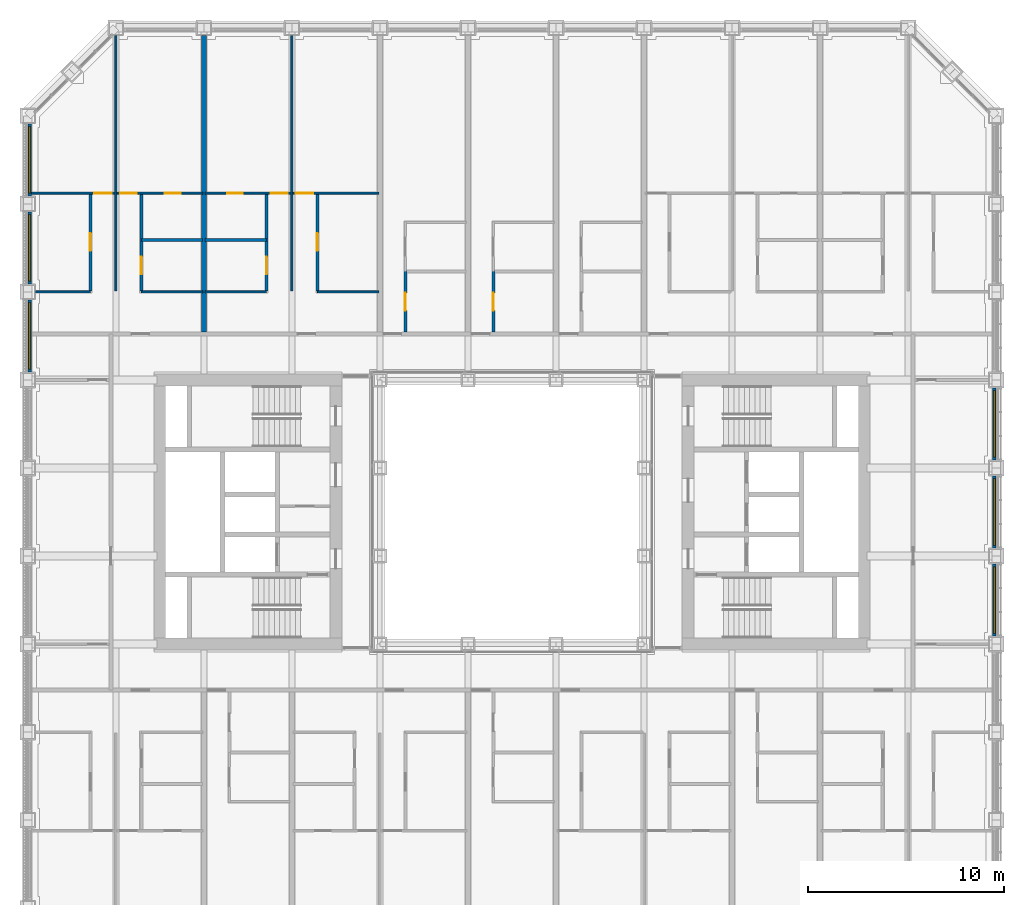
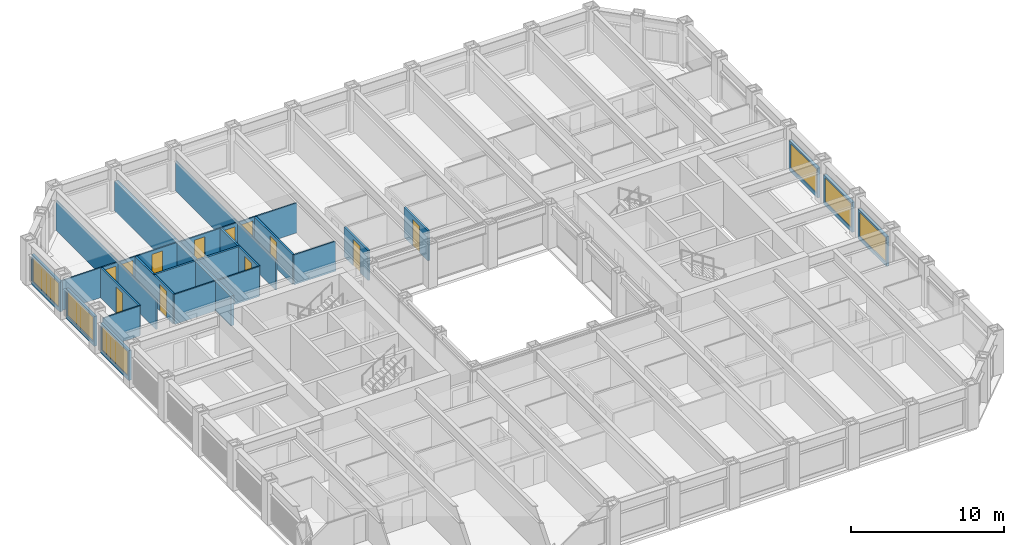
# One storey, part 13 of 21: 25 walls, 12 doors, 6 windows, 18 openings.
"""IFC4 building model written with IfcOpenShell, lengths in metres."""

from ifc_helpers import new_model, si_unit, direction, frame, frame_2d, origin, place, context, subcontext, project, spatial, rectangle, extrude, material, layer, layer_set, type_object, element, fill, save


model = new_model("IFC4")

# Units and contexts
model_context = context("Model", 3, precision=1e-05, world=origin(), true_north=direction((0.0, 1.0)))
body_context = subcontext(model_context, "Body", "Model", "MODEL_VIEW")
ifc_project = project(units=[si_unit("LENGTHUNIT", "METRE"), si_unit("AREAUNIT", "SQUARE_METRE"), si_unit("VOLUMEUNIT", "CUBIC_METRE"), si_unit("PLANEANGLEUNIT", "RADIAN"), si_unit("MASSUNIT", "GRAM", prefix="KILO")], contexts=[model_context])

# Site, building, storey
site_placement = place(None, origin())
site = spatial("IfcSite", under=ifc_project, at=site_placement, CompositionType="ELEMENT")
building_placement = place(site_placement, origin())
building = spatial("IfcBuilding", under=site, at=building_placement, Name="Msasa Ring Tower", CompositionType="ELEMENT")
storey_placement = place(building_placement, frame((0.0, 0.0, 44.0)))
storey = spatial("IfcBuildingStorey", under=building, at=storey_placement, Name="L10", CompositionType="ELEMENT", Elevation=44.0)

# Wall, opening, window
ifc_material_1 = material(Name="Terracotta rainscreen on blockwork", Category="masonry")
ifc_layer_1 = layer(ifc_material_1, 0.199951171875)
ifc_layer_set_1 = layer_set([ifc_layer_1], Name="FW1 TERRACOTTA-LINED INFILL BAY WALL 200")
wall_type_1 = type_object("IfcWallType", Name="FW1 TERRACOTTA-LINED INFILL BAY WALL 200", PredefinedType="SOLIDWALL", material=ifc_layer_set_1)
wall_1_placement = place(storey_placement, frame((24.64990234375, -6.344970703125, 0.0), z_axis=(0.0, 0.0, 1.0), x_axis=(0.0, 1.0, 0.0)))
wall_1 = element("IfcWall", 1, at=wall_1_placement, inside=storey, type_object=wall_type_1, Name="Infill bay wall E L10 14", PredefinedType="SOLIDWALL", context=body_context, shape_type="SweptSolid", body=[
    extrude(rectangle(XDim=3.68994140625, YDim=0.199951171875, at=frame_2d((1.844970703125, 0.0))), origin(), (0.0, 0.0, 1.0), 2.37890625),
])
opening_1_placement = place(wall_1_placement, frame((0.14501953125, 0.0, 0.300048828125)))
opening_1 = element("IfcOpeningElement", 2, at=opening_1_placement, cuts=wall_1, Name="Opening WN1", PredefinedType="OPENING", context=body_context, shape_type="SweptSolid", body=[
    extrude(rectangle(XDim=3.39990234375, YDim=1.928955078125, at=frame_2d((1.699951171875, 0.96435546875))), frame((0.0, 0.10986328125, 0.0), z_axis=(0.0, -1.0, 0.0), x_axis=(1.0, 0.0, 0.0)), (0.0, 0.0, 1.0), 0.219970703125),
])
ifc_material_2 = material(Name="Aluminium frame with clear glass", Category="aluminium")
window_type = type_object("IfcWindowType", Name="WN1 RESIDENCE WINDOW 3400x1929", PartitioningType="SINGLE_PANEL", PredefinedType="WINDOW", material=ifc_material_2)
window_1_placement = place(opening_1_placement, origin())
window_1 = element("IfcWindow", 3, at=window_1_placement, inside=storey, type_object=window_type, Name="Window E L10 14", OverallHeight=1.928955078125, OverallWidth=3.39990234375, PartitioningType="SINGLE_PANEL", PredefinedType="WINDOW", context=body_context, shape_type="SweptSolid", body=[
    extrude(rectangle(XDim=3.39990234375, YDim=1.928955078125, at=frame_2d((1.699951171875, 0.96435546875))), frame((0.0, 0.030029296875, 0.0), z_axis=(0.0, -1.0, 0.0), x_axis=(1.0, 0.0, 0.0)), (0.0, 0.0, 1.0), 0.06005859375),
])
fill(opening_1, window_1)

wall_2_placement = place(storey_placement, frame((24.64990234375, -1.844970703125, 0.0), z_axis=(0.0, 0.0, 1.0), x_axis=(0.0, 1.0, 0.0)))
wall_2 = element("IfcWall", 4, at=wall_2_placement, inside=storey, type_object=wall_type_1, Name="Infill bay wall E L10 15", PredefinedType="SOLIDWALL", context=body_context, shape_type="SweptSolid", body=[
    extrude(rectangle(XDim=3.68994140625, YDim=0.199951171875, at=frame_2d((1.844970703125, 0.0))), origin(), (0.0, 0.0, 1.0), 2.37890625),
])
opening_2_placement = place(wall_2_placement, frame((0.14501953125, 0.0, 0.300048828125)))
opening_2 = element("IfcOpeningElement", 5, at=opening_2_placement, cuts=wall_2, Name="Opening WN1", PredefinedType="OPENING", context=body_context, shape_type="SweptSolid", body=[
    extrude(rectangle(XDim=3.39990234375, YDim=1.928955078125, at=frame_2d((1.699951171875, 0.96435546875))), frame((0.0, 0.10986328125, 0.0), z_axis=(0.0, -1.0, 0.0), x_axis=(1.0, 0.0, 0.0)), (0.0, 0.0, 1.0), 0.219970703125),
])
window_2_placement = place(opening_2_placement, origin())
window_2 = element("IfcWindow", 6, at=window_2_placement, inside=storey, type_object=window_type, Name="Window E L10 15", OverallHeight=1.928955078125, OverallWidth=3.39990234375, PartitioningType="SINGLE_PANEL", PredefinedType="WINDOW", context=body_context, shape_type="SweptSolid", body=[
    extrude(rectangle(XDim=3.39990234375, YDim=1.928955078125, at=frame_2d((1.699951171875, 0.96435546875))), frame((0.0, 0.030029296875, 0.0), z_axis=(0.0, -1.0, 0.0), x_axis=(1.0, 0.0, 0.0)), (0.0, 0.0, 1.0), 0.06005859375),
])
fill(opening_2, window_2)

wall_3_placement = place(storey_placement, frame((24.64990234375, 2.655029296875, 0.0), z_axis=(0.0, 0.0, 1.0), x_axis=(0.0, 1.0, 0.0)))
wall_3 = element("IfcWall", 7, at=wall_3_placement, inside=storey, type_object=wall_type_1, Name="Infill bay wall E L10 16", PredefinedType="SOLIDWALL", context=body_context, shape_type="SweptSolid", body=[
    extrude(rectangle(XDim=3.68994140625, YDim=0.199951171875, at=frame_2d((1.844970703125, 0.0))), origin(), (0.0, 0.0, 1.0), 2.37890625),
])
opening_3_placement = place(wall_3_placement, frame((0.14501953125, 0.0, 0.300048828125)))
opening_3 = element("IfcOpeningElement", 8, at=opening_3_placement, cuts=wall_3, Name="Opening WN1", PredefinedType="OPENING", context=body_context, shape_type="SweptSolid", body=[
    extrude(rectangle(XDim=3.39990234375, YDim=1.928955078125, at=frame_2d((1.699951171875, 0.96435546875))), frame((0.0, 0.10986328125, 0.0), z_axis=(0.0, -1.0, 0.0), x_axis=(1.0, 0.0, 0.0)), (0.0, 0.0, 1.0), 0.219970703125),
])
window_3_placement = place(opening_3_placement, origin())
window_3 = element("IfcWindow", 9, at=window_3_placement, inside=storey, type_object=window_type, Name="Window E L10 16", OverallHeight=1.928955078125, OverallWidth=3.39990234375, PartitioningType="SINGLE_PANEL", PredefinedType="WINDOW", context=body_context, shape_type="SweptSolid", body=[
    extrude(rectangle(XDim=3.39990234375, YDim=1.928955078125, at=frame_2d((1.699951171875, 0.96435546875))), frame((0.0, 0.030029296875, 0.0), z_axis=(0.0, -1.0, 0.0), x_axis=(1.0, 0.0, 0.0)), (0.0, 0.0, 1.0), 0.06005859375),
])
fill(opening_3, window_3)

wall_4_placement = place(storey_placement, frame((-24.64990234375, 7.155029296875, 0.0), z_axis=(0.0, 0.0, 1.0), x_axis=(0.0, 1.0, 0.0)))
wall_4 = element("IfcWall", 10, at=wall_4_placement, inside=storey, type_object=wall_type_1, Name="Infill bay wall W L10 39", PredefinedType="SOLIDWALL", context=body_context, shape_type="SweptSolid", body=[
    extrude(rectangle(XDim=3.68994140625, YDim=0.199951171875, at=frame_2d((1.844970703125, 0.0))), origin(), (0.0, 0.0, 1.0), 2.37890625),
])
opening_4_placement = place(wall_4_placement, frame((0.14501953125, 0.0, 0.300048828125)))
opening_4 = element("IfcOpeningElement", 11, at=opening_4_placement, cuts=wall_4, Name="Opening WN1", PredefinedType="OPENING", context=body_context, shape_type="SweptSolid", body=[
    extrude(rectangle(XDim=3.39990234375, YDim=1.928955078125, at=frame_2d((1.699951171875, 0.96435546875))), frame((0.0, 0.10986328125, 0.0), z_axis=(0.0, -1.0, 0.0), x_axis=(1.0, 0.0, 0.0)), (0.0, 0.0, 1.0), 0.219970703125),
])
window_4_placement = place(opening_4_placement, origin())
window_4 = element("IfcWindow", 12, at=window_4_placement, inside=storey, type_object=window_type, Name="Window W L10 39", OverallHeight=1.928955078125, OverallWidth=3.39990234375, PartitioningType="SINGLE_PANEL", PredefinedType="WINDOW", context=body_context, shape_type="SweptSolid", body=[
    extrude(rectangle(XDim=3.39990234375, YDim=1.928955078125, at=frame_2d((1.699951171875, 0.96435546875))), frame((0.0, 0.030029296875, 0.0), z_axis=(0.0, -1.0, 0.0), x_axis=(1.0, 0.0, 0.0)), (0.0, 0.0, 1.0), 0.06005859375),
])
fill(opening_4, window_4)

wall_5_placement = place(storey_placement, frame((-24.64990234375, 11.655029296875, 0.0), z_axis=(0.0, 0.0, 1.0), x_axis=(0.0, 1.0, 0.0)))
wall_5 = element("IfcWall", 13, at=wall_5_placement, inside=storey, type_object=wall_type_1, Name="Infill bay wall W L10 40", PredefinedType="SOLIDWALL", context=body_context, shape_type="SweptSolid", body=[
    extrude(rectangle(XDim=3.68994140625, YDim=0.199951171875, at=frame_2d((1.844970703125, 0.0))), origin(), (0.0, 0.0, 1.0), 2.37890625),
])
opening_5_placement = place(wall_5_placement, frame((0.14501953125, 0.0, 0.300048828125)))
opening_5 = element("IfcOpeningElement", 14, at=opening_5_placement, cuts=wall_5, Name="Opening WN1", PredefinedType="OPENING", context=body_context, shape_type="SweptSolid", body=[
    extrude(rectangle(XDim=3.39990234375, YDim=1.928955078125, at=frame_2d((1.699951171875, 0.96435546875))), frame((0.0, 0.10986328125, 0.0), z_axis=(0.0, -1.0, 0.0), x_axis=(1.0, 0.0, 0.0)), (0.0, 0.0, 1.0), 0.219970703125),
])
window_5_placement = place(opening_5_placement, origin())
window_5 = element("IfcWindow", 15, at=window_5_placement, inside=storey, type_object=window_type, Name="Window W L10 40", OverallHeight=1.928955078125, OverallWidth=3.39990234375, PartitioningType="SINGLE_PANEL", PredefinedType="WINDOW", context=body_context, shape_type="SweptSolid", body=[
    extrude(rectangle(XDim=3.39990234375, YDim=1.928955078125, at=frame_2d((1.699951171875, 0.96435546875))), frame((0.0, 0.030029296875, 0.0), z_axis=(0.0, -1.0, 0.0), x_axis=(1.0, 0.0, 0.0)), (0.0, 0.0, 1.0), 0.06005859375),
])
fill(opening_5, window_5)

wall_6_placement = place(storey_placement, frame((-24.64990234375, 16.155029296875, 0.0), z_axis=(0.0, 0.0, 1.0), x_axis=(0.0, 1.0, 0.0)))
wall_6 = element("IfcWall", 16, at=wall_6_placement, inside=storey, type_object=wall_type_1, Name="Infill bay wall W L10 41", PredefinedType="SOLIDWALL", context=body_context, shape_type="SweptSolid", body=[
    extrude(rectangle(XDim=3.68994140625, YDim=0.199951171875, at=frame_2d((1.844970703125, 0.0))), origin(), (0.0, 0.0, 1.0), 2.37890625),
])
opening_6_placement = place(wall_6_placement, frame((0.14501953125, 0.0, 0.300048828125)))
opening_6 = element("IfcOpeningElement", 17, at=opening_6_placement, cuts=wall_6, Name="Opening WN1", PredefinedType="OPENING", context=body_context, shape_type="SweptSolid", body=[
    extrude(rectangle(XDim=3.39990234375, YDim=1.928955078125, at=frame_2d((1.699951171875, 0.96435546875))), frame((0.0, 0.10986328125, 0.0), z_axis=(0.0, -1.0, 0.0), x_axis=(1.0, 0.0, 0.0)), (0.0, 0.0, 1.0), 0.219970703125),
])
window_6_placement = place(opening_6_placement, origin())
window_6 = element("IfcWindow", 18, at=window_6_placement, inside=storey, type_object=window_type, Name="Window W L10 41", OverallHeight=1.928955078125, OverallWidth=3.39990234375, PartitioningType="SINGLE_PANEL", PredefinedType="WINDOW", context=body_context, shape_type="SweptSolid", body=[
    extrude(rectangle(XDim=3.39990234375, YDim=1.928955078125, at=frame_2d((1.699951171875, 0.96435546875))), frame((0.0, 0.030029296875, 0.0), z_axis=(0.0, -1.0, 0.0), x_axis=(1.0, 0.0, 0.0)), (0.0, 0.0, 1.0), 0.06005859375),
])
fill(opening_6, window_6)

# Wall
ifc_material_3 = material(Name="Gypsum board on steel studs", Category="steel")
ifc_layer_2 = layer(ifc_material_3, 0.10009765625)
ifc_layer_set_2 = layer_set([ifc_layer_2], Name="PT2 STUD PARTITION 100")
wall_type_2 = type_object("IfcWallType", Name="PT2 STUD PARTITION 100", PredefinedType="PARTITIONING", material=ifc_layer_set_2)
wall_7_placement = place(storey_placement, frame((-24.35009765625, 11.25, 0.0), z_axis=(0.0, 0.0, 1.0), x_axis=(1.0, 0.0, 0.0)))
element("IfcWall", 19, at=wall_7_placement, inside=storey, type_object=wall_type_2, Name="Partition L10-UN00HY0", PredefinedType="PARTITIONING", context=body_context, shape_type="SweptSolid", body=[
    extrude(rectangle(XDim=2.800048828125, YDim=0.10009765625, at=frame_2d((1.39990234375, 0.0))), origin(), (0.0, 0.0, 1.0), 2.373291015625),
])

# Wall, opening, door
wall_8_placement = place(storey_placement, frame((-24.550048828125, 16.300048828125, 0.0), z_axis=(0.0, 0.0, 1.0), x_axis=(1.0, 0.0, 0.0)))
wall_8 = element("IfcWall", 20, at=wall_8_placement, inside=storey, type_object=wall_type_2, Name="Partition L10-UN00SY0", PredefinedType="PARTITIONING", context=body_context, shape_type="SweptSolid", body=[
    extrude(rectangle(XDim=4.25, YDim=0.10009765625, at=frame_2d((2.125, 0.0))), origin(), (0.0, 0.0, 1.0), 2.373291015625),
])
opening_7_placement = place(wall_8_placement, frame((3.199951171875, 0.0, 0.0)))
opening_7 = element("IfcOpeningElement", 21, at=opening_7_placement, cuts=wall_8, Name="Opening RB-001", PredefinedType="OPENING", context=body_context, shape_type="SweptSolid", body=[
    extrude(rectangle(XDim=0.89990234375, YDim=2.10009765625, at=frame_2d((0.449951171875, 1.050048828125))), frame((0.0, 0.06005859375, 0.0), z_axis=(0.0, -1.0, 0.0), x_axis=(1.0, 0.0, 0.0)), (0.0, 0.0, 1.0), 0.1201171875),
])
ifc_material_4 = material(Name="Timber door leaf in a steel frame", Category="steel")
door_type_1 = type_object("IfcDoorType", Name="D22 INTERNAL HALL DOOR 900x2100", OperationType="SINGLE_SWING_LEFT", PredefinedType="DOOR", material=ifc_material_4)
door_1_placement = place(opening_7_placement, origin())
door_1 = element("IfcDoor", 22, at=door_1_placement, inside=storey, type_object=door_type_1, Name="Door L10-UN00L", OperationType="SINGLE_SWING_RIGHT", OverallHeight=2.10009765625, OverallWidth=0.89990234375, PredefinedType="DOOR", context=body_context, shape_type="SweptSolid", body=[
    extrude(rectangle(XDim=0.89990234375, YDim=2.10009765625, at=frame_2d((0.449951171875, 1.050048828125))), frame((0.0, 0.02490234375, 0.0), z_axis=(0.0, -1.0, 0.0), x_axis=(1.0, 0.0, 0.0)), (0.0, 0.0, 1.0), 0.050048828125),
])
fill(opening_7, door_1)

# Walls
wall_9_placement = place(storey_placement, frame((-20.25, 11.300048828125, 0.0), z_axis=(0.0, 0.0, 1.0), x_axis=(0.0, 1.0, 0.0)))
element("IfcWall", 23, at=wall_9_placement, inside=storey, type_object=wall_type_2, Name="Partition L10-UN00P1", PredefinedType="PARTITIONING", context=body_context, shape_type="SweptSolid", body=[
    extrude(rectangle(XDim=13.050048828125, YDim=0.10009765625, at=frame_2d((6.52490234375, 0.0))), origin(), (0.0, 0.0, 1.0), 2.373291015625),
])
wall_10_placement = place(storey_placement, frame((-18.949951171875, 11.25, 0.0), z_axis=(0.0, 0.0, 1.0), x_axis=(1.0, 0.0, 0.0)))
element("IfcWall", 24, at=wall_10_placement, inside=storey, type_object=wall_type_2, Name="Partition L10-UN00HY1", PredefinedType="PARTITIONING", context=body_context, shape_type="SweptSolid", body=[
    extrude(rectangle(XDim=3.139892578125, YDim=0.10009765625, at=frame_2d((1.56982421875, 0.0))), origin(), (0.0, 0.0, 1.0), 2.373291015625),
])

# Wall, openings, doors
wall_11_placement = place(storey_placement, frame((-20.199951171875, 16.300048828125, 0.0), z_axis=(0.0, 0.0, 1.0), x_axis=(1.0, 0.0, 0.0)))
wall_11 = element("IfcWall", 25, at=wall_11_placement, inside=storey, type_object=wall_type_2, Name="Partition L10-UN00SY1", PredefinedType="PARTITIONING", context=body_context, shape_type="SweptSolid", body=[
    extrude(rectangle(XDim=4.389892578125, YDim=0.10009765625, at=frame_2d((2.19482421875, 0.0))), origin(), (0.0, 0.0, 1.0), 2.373291015625),
])
opening_8_placement = place(wall_11_placement, frame((0.175048828125, 0.0, 0.0)))
opening_8 = element("IfcOpeningElement", 26, at=opening_8_placement, cuts=wall_11, Name="Opening RB-002", PredefinedType="OPENING", context=body_context, shape_type="SweptSolid", body=[
    extrude(rectangle(XDim=0.85009765625, YDim=2.10009765625, at=frame_2d((0.425048828125, 1.050048828125))), frame((0.0, 0.06005859375, 0.0), z_axis=(0.0, -1.0, 0.0), x_axis=(1.0, 0.0, 0.0)), (0.0, 0.0, 1.0), 0.1201171875),
])
opening_9_placement = place(wall_11_placement, frame((2.4599609375, 0.0, 0.0)))
opening_9 = element("IfcOpeningElement", 27, at=opening_9_placement, cuts=wall_11, Name="Opening RB-003", PredefinedType="OPENING", context=body_context, shape_type="SweptSolid", body=[
    extrude(rectangle(XDim=0.800048828125, YDim=2.10009765625, at=frame_2d((0.39990234375, 1.050048828125))), frame((0.0, 0.06005859375, 0.0), z_axis=(0.0, -1.0, 0.0), x_axis=(1.0, 0.0, 0.0)), (0.0, 0.0, 1.0), 0.1201171875),
])
ifc_material_5 = material(Name="Timber door leaf in a steel frame", Category="steel")
door_type_2 = type_object("IfcDoorType", Name="D14 BEDROOM DOOR 850x2100", OperationType="SINGLE_SWING_LEFT", PredefinedType="DOOR", material=ifc_material_5)
door_2_placement = place(opening_8_placement, origin())
door_2 = element("IfcDoor", 28, at=door_2_placement, inside=storey, type_object=door_type_2, Name="Door L10-UN00R1", OperationType="SINGLE_SWING_LEFT", OverallHeight=2.10009765625, OverallWidth=0.85009765625, PredefinedType="DOOR", context=body_context, shape_type="SweptSolid", body=[
    extrude(rectangle(XDim=0.85009765625, YDim=2.10009765625, at=frame_2d((0.425048828125, 1.050048828125))), frame((0.0, 0.02490234375, 0.0), z_axis=(0.0, -1.0, 0.0), x_axis=(1.0, 0.0, 0.0)), (0.0, 0.0, 1.0), 0.050048828125),
])
fill(opening_8, door_2)
ifc_material_6 = material(Name="Timber door leaf in a steel frame", Category="steel")
door_type_3 = type_object("IfcDoorType", Name="D60 DRESSING ROOM DOOR 800x2100", OperationType="SINGLE_SWING_LEFT", PredefinedType="DOOR", material=ifc_material_6)
door_3_placement = place(opening_9_placement, origin())
door_3 = element("IfcDoor", 29, at=door_3_placement, inside=storey, type_object=door_type_3, Name="Door L10-UN00W1", OperationType="SINGLE_SWING_RIGHT", OverallHeight=2.10009765625, OverallWidth=0.800048828125, PredefinedType="DOOR", context=body_context, shape_type="SweptSolid", body=[
    extrude(rectangle(XDim=0.800048828125, YDim=2.10009765625, at=frame_2d((0.39990234375, 1.050048828125))), frame((0.0, 0.02490234375, 0.0), z_axis=(0.0, -1.0, 0.0), x_axis=(1.0, 0.0, 0.0)), (0.0, 0.0, 1.0), 0.050048828125),
])
fill(opening_9, door_3)

# Wall
wall_12_placement = place(storey_placement, frame((-9.949951171875, 11.25, 0.0), z_axis=(0.0, 0.0, 1.0), x_axis=(1.0, 0.0, 0.0)))
element("IfcWall", 30, at=wall_12_placement, inside=storey, type_object=wall_type_2, Name="Partition L10-UN01HY0", PredefinedType="PARTITIONING", context=body_context, shape_type="SweptSolid", body=[
    extrude(rectangle(XDim=3.139892578125, YDim=0.10009765625, at=frame_2d((1.56982421875, 0.0))), origin(), (0.0, 0.0, 1.0), 2.373291015625),
])

# Wall, opening, door
wall_13_placement = place(storey_placement, frame((-11.199951171875, 16.300048828125, 0.0), z_axis=(0.0, 0.0, 1.0), x_axis=(1.0, 0.0, 0.0)))
wall_13 = element("IfcWall", 31, at=wall_13_placement, inside=storey, type_object=wall_type_2, Name="Partition L10-UN01SY0", PredefinedType="PARTITIONING", context=body_context, shape_type="SweptSolid", body=[
    extrude(rectangle(XDim=4.389892578125, YDim=0.10009765625, at=frame_2d((2.19482421875, 0.0))), origin(), (0.0, 0.0, 1.0), 2.373291015625),
])
opening_10_placement = place(wall_13_placement, frame((0.14990234375, 0.0, 0.0)))
opening_10 = element("IfcOpeningElement", 32, at=opening_10_placement, cuts=wall_13, Name="Opening RB-006", PredefinedType="OPENING", context=body_context, shape_type="SweptSolid", body=[
    extrude(rectangle(XDim=0.89990234375, YDim=2.10009765625, at=frame_2d((0.449951171875, 1.050048828125))), frame((0.0, 0.06005859375, 0.0), z_axis=(0.0, -1.0, 0.0), x_axis=(1.0, 0.0, 0.0)), (0.0, 0.0, 1.0), 0.1201171875),
])
door_4_placement = place(opening_10_placement, origin())
door_4 = element("IfcDoor", 33, at=door_4_placement, inside=storey, type_object=door_type_1, Name="Door L10-UN01L", OperationType="SINGLE_SWING_LEFT", OverallHeight=2.10009765625, OverallWidth=0.89990234375, PredefinedType="DOOR", context=body_context, shape_type="SweptSolid", body=[
    extrude(rectangle(XDim=0.89990234375, YDim=2.10009765625, at=frame_2d((0.449951171875, 1.050048828125))), frame((0.0, 0.02490234375, 0.0), z_axis=(0.0, -1.0, 0.0), x_axis=(1.0, 0.0, 0.0)), (0.0, 0.0, 1.0), 0.050048828125),
])
fill(opening_10, door_4)

# Walls
wall_14_placement = place(storey_placement, frame((-11.25, 11.300048828125, 0.0), z_axis=(0.0, 0.0, 1.0), x_axis=(0.0, 1.0, 0.0)))
element("IfcWall", 34, at=wall_14_placement, inside=storey, type_object=wall_type_2, Name="Partition L10-UN01P1", PredefinedType="PARTITIONING", context=body_context, shape_type="SweptSolid", body=[
    extrude(rectangle(XDim=13.050048828125, YDim=0.10009765625, at=frame_2d((6.52490234375, 0.0))), origin(), (0.0, 0.0, 1.0), 2.373291015625),
])
wall_15_placement = place(storey_placement, frame((-15.68994140625, 11.25, 0.0), z_axis=(0.0, 0.0, 1.0), x_axis=(1.0, 0.0, 0.0)))
element("IfcWall", 35, at=wall_15_placement, inside=storey, type_object=wall_type_2, Name="Partition L10-UN01HY1", PredefinedType="PARTITIONING", context=body_context, shape_type="SweptSolid", body=[
    extrude(rectangle(XDim=3.139892578125, YDim=0.10009765625, at=frame_2d((1.56982421875, 0.0))), origin(), (0.0, 0.0, 1.0), 2.373291015625),
])

# Wall, openings, doors
wall_16_placement = place(storey_placement, frame((-15.68994140625, 16.300048828125, 0.0), z_axis=(0.0, 0.0, 1.0), x_axis=(1.0, 0.0, 0.0)))
wall_16 = element("IfcWall", 36, at=wall_16_placement, inside=storey, type_object=wall_type_2, Name="Partition L10-UN01SY1", PredefinedType="PARTITIONING", context=body_context, shape_type="SweptSolid", body=[
    extrude(rectangle(XDim=4.389892578125, YDim=0.10009765625, at=frame_2d((2.19482421875, 0.0))), origin(), (0.0, 0.0, 1.0), 2.373291015625),
])
opening_11_placement = place(wall_16_placement, frame((3.364990234375, 0.0, 0.0)))
opening_11 = element("IfcOpeningElement", 37, at=opening_11_placement, cuts=wall_16, Name="Opening RB-005", PredefinedType="OPENING", context=body_context, shape_type="SweptSolid", body=[
    extrude(rectangle(XDim=0.85009765625, YDim=2.10009765625, at=frame_2d((0.425048828125, 1.050048828125))), frame((0.0, 0.06005859375, 0.0), z_axis=(0.0, -1.0, 0.0), x_axis=(1.0, 0.0, 0.0)), (0.0, 0.0, 1.0), 0.1201171875),
])
opening_12_placement = place(wall_16_placement, frame((1.1298828125, 0.0, 0.0)))
opening_12 = element("IfcOpeningElement", 38, at=opening_12_placement, cuts=wall_16, Name="Opening RB-004", PredefinedType="OPENING", context=body_context, shape_type="SweptSolid", body=[
    extrude(rectangle(XDim=0.800048828125, YDim=2.10009765625, at=frame_2d((0.39990234375, 1.050048828125))), frame((0.0, 0.06005859375, 0.0), z_axis=(0.0, -1.0, 0.0), x_axis=(1.0, 0.0, 0.0)), (0.0, 0.0, 1.0), 0.1201171875),
])
door_5_placement = place(opening_11_placement, origin())
door_5 = element("IfcDoor", 39, at=door_5_placement, inside=storey, type_object=door_type_2, Name="Door L10-UN01R1", OperationType="SINGLE_SWING_RIGHT", OverallHeight=2.10009765625, OverallWidth=0.85009765625, PredefinedType="DOOR", context=body_context, shape_type="SweptSolid", body=[
    extrude(rectangle(XDim=0.85009765625, YDim=2.10009765625, at=frame_2d((0.425048828125, 1.050048828125))), frame((0.0, 0.02490234375, 0.0), z_axis=(0.0, -1.0, 0.0), x_axis=(1.0, 0.0, 0.0)), (0.0, 0.0, 1.0), 0.050048828125),
])
fill(opening_11, door_5)
door_6_placement = place(opening_12_placement, origin())
door_6 = element("IfcDoor", 40, at=door_6_placement, inside=storey, type_object=door_type_3, Name="Door L10-UN01W1", OperationType="SINGLE_SWING_LEFT", OverallHeight=2.10009765625, OverallWidth=0.800048828125, PredefinedType="DOOR", context=body_context, shape_type="SweptSolid", body=[
    extrude(rectangle(XDim=0.800048828125, YDim=2.10009765625, at=frame_2d((0.39990234375, 1.050048828125))), frame((0.0, 0.02490234375, 0.0), z_axis=(0.0, -1.0, 0.0), x_axis=(1.0, 0.0, 0.0)), (0.0, 0.0, 1.0), 0.050048828125),
])
fill(opening_12, door_6)

# Wall
ifc_material_7 = material(Name="Dense concrete blockwork, plastered both faces", Category="masonry")
ifc_layer_3 = layer(ifc_material_7, 0.25)
ifc_layer_set_3 = layer_set([ifc_layer_3], Name="PT3 APARTMENT SEPARATING WALL 250")
wall_type_3 = type_object("IfcWallType", Name="PT3 APARTMENT SEPARATING WALL 250", PredefinedType="PARTITIONING", material=ifc_layer_set_3)
wall_17_placement = place(storey_placement, frame((-15.75, 9.199951171875, 0.0), z_axis=(0.0, 0.0, 1.0), x_axis=(0.0, 1.0, 0.0)))
element("IfcWall", 41, at=wall_17_placement, inside=storey, type_object=wall_type_3, Name="Party wall L10-PWN-15.75", PredefinedType="PARTITIONING", context=body_context, shape_type="SweptSolid", body=[
    extrude(rectangle(XDim=15.150146484375, YDim=0.25, at=frame_2d((7.5751953125, 0.0))), origin(), (0.0, 0.0, 1.0), 2.373291015625),
])

# Wall, opening, door
ifc_material_8 = material(Name="Moisture-resistant board on steel studs with a concealed cistern and pipe void, tiled", Category="steel")
ifc_layer_4 = layer(ifc_material_8, 0.14990234375)
ifc_layer_set_4 = layer_set([ifc_layer_4], Name="PT4 BATHROOM WET WALL 150")
wall_type_4 = type_object("IfcWallType", Name="PT4 BATHROOM WET WALL 150", PredefinedType="PARTITIONING", material=ifc_layer_set_4)
wall_18_placement = place(storey_placement, frame((-21.550048828125, 11.300048828125, 0.0), z_axis=(0.0, 0.0, 1.0), x_axis=(0.0, 1.0, 0.0)))
wall_18 = element("IfcWall", 42, at=wall_18_placement, inside=storey, type_object=wall_type_4, Name="Partition L10-UN00SX0", PredefinedType="PARTITIONING", context=body_context, shape_type="SweptSolid", body=[
    extrude(rectangle(XDim=5.0, YDim=0.14990234375, at=frame_2d((2.5, 0.0))), origin(), (0.0, 0.0, 1.0), 2.373291015625),
])
opening_13_placement = place(wall_18_placement, frame((2.050048828125, 0.0, 0.0)))
opening_13 = element("IfcOpeningElement", 43, at=opening_13_placement, cuts=wall_18, Name="Opening RB-013", PredefinedType="OPENING", context=body_context, shape_type="SweptSolid", body=[
    extrude(rectangle(XDim=0.89990234375, YDim=2.10009765625, at=frame_2d((0.449951171875, 1.050048828125))), frame((0.0, 0.0849609375, 0.0), z_axis=(0.0, -1.0, 0.0), x_axis=(1.0, 0.0, 0.0)), (0.0, 0.0, 1.0), 0.169921875),
])
door_7_placement = place(opening_13_placement, origin())
door_7 = element("IfcDoor", 44, at=door_7_placement, inside=storey, type_object=door_type_1, Name="Door L10-UN00K", OperationType="SINGLE_SWING_LEFT", OverallHeight=2.10009765625, OverallWidth=0.89990234375, PredefinedType="DOOR", context=body_context, shape_type="SweptSolid", body=[
    extrude(rectangle(XDim=0.89990234375, YDim=2.10009765625, at=frame_2d((0.449951171875, 1.050048828125))), frame((0.0, 0.02490234375, 0.0), z_axis=(0.0, -1.0, 0.0), x_axis=(1.0, 0.0, 0.0)), (0.0, 0.0, 1.0), 0.050048828125),
])
fill(opening_13, door_7)

wall_19_placement = place(storey_placement, frame((-18.949951171875, 11.300048828125, 0.0), z_axis=(0.0, 0.0, 1.0), x_axis=(0.0, 1.0, 0.0)))
wall_19 = element("IfcWall", 45, at=wall_19_placement, inside=storey, type_object=wall_type_4, Name="Partition L10-UN00SX1", PredefinedType="PARTITIONING", context=body_context, shape_type="SweptSolid", body=[
    extrude(rectangle(XDim=5.0, YDim=0.14990234375, at=frame_2d((2.5, 0.0))), origin(), (0.0, 0.0, 1.0), 2.373291015625),
])
opening_14_placement = place(wall_19_placement, frame((0.85009765625, 0.0, 0.0)))
opening_14 = element("IfcOpeningElement", 46, at=opening_14_placement, cuts=wall_19, Name="Opening RB-020", PredefinedType="OPENING", context=body_context, shape_type="SweptSolid", body=[
    extrude(rectangle(XDim=0.89990234375, YDim=2.10009765625, at=frame_2d((0.449951171875, 1.050048828125))), frame((0.0, 0.0849609375, 0.0), z_axis=(0.0, -1.0, 0.0), x_axis=(1.0, 0.0, 0.0)), (0.0, 0.0, 1.0), 0.169921875),
])
ifc_material_9 = material(Name="Timber door leaf in a steel frame", Category="steel")
door_type_4 = type_object("IfcDoorType", Name="D3 BATHROOM DOOR 900x2100", OperationType="SINGLE_SWING_LEFT", PredefinedType="DOOR", material=ifc_material_9)
door_8_placement = place(opening_14_placement, origin())
door_8 = element("IfcDoor", 47, at=door_8_placement, inside=storey, type_object=door_type_4, Name="Door L10-UN00B1", OperationType="SINGLE_SWING_LEFT", OverallHeight=2.10009765625, OverallWidth=0.89990234375, PredefinedType="DOOR", context=body_context, shape_type="SweptSolid", body=[
    extrude(rectangle(XDim=0.89990234375, YDim=2.10009765625, at=frame_2d((0.449951171875, 1.050048828125))), frame((0.0, 0.02490234375, 0.0), z_axis=(0.0, -1.0, 0.0), x_axis=(1.0, 0.0, 0.0)), (0.0, 0.0, 1.0), 0.050048828125),
])
fill(opening_14, door_8)

# Wall
wall_20_placement = place(storey_placement, frame((-18.949951171875, 13.89990234375, 0.0), z_axis=(0.0, 0.0, 1.0), x_axis=(1.0, 0.0, 0.0)))
element("IfcWall", 48, at=wall_20_placement, inside=storey, type_object=wall_type_4, Name="Partition L10-UN00SB1", PredefinedType="PARTITIONING", context=body_context, shape_type="SweptSolid", body=[
    extrude(rectangle(XDim=3.139892578125, YDim=0.14990234375, at=frame_2d((1.56982421875, 0.0))), origin(), (0.0, 0.0, 1.0), 2.373291015625),
])

# Wall, opening, door
wall_21_placement = place(storey_placement, frame((-9.949951171875, 11.300048828125, 0.0), z_axis=(0.0, 0.0, 1.0), x_axis=(0.0, 1.0, 0.0)))
wall_21 = element("IfcWall", 49, at=wall_21_placement, inside=storey, type_object=wall_type_4, Name="Partition L10-UN01SX0", PredefinedType="PARTITIONING", context=body_context, shape_type="SweptSolid", body=[
    extrude(rectangle(XDim=5.0, YDim=0.14990234375, at=frame_2d((2.5, 0.0))), origin(), (0.0, 0.0, 1.0), 2.373291015625),
])
opening_15_placement = place(wall_21_placement, frame((2.050048828125, 0.0, 0.0)))
opening_15 = element("IfcOpeningElement", 50, at=opening_15_placement, cuts=wall_21, Name="Opening RB-014", PredefinedType="OPENING", context=body_context, shape_type="SweptSolid", body=[
    extrude(rectangle(XDim=0.89990234375, YDim=2.10009765625, at=frame_2d((0.449951171875, 1.050048828125))), frame((0.0, 0.0849609375, 0.0), z_axis=(0.0, -1.0, 0.0), x_axis=(1.0, 0.0, 0.0)), (0.0, 0.0, 1.0), 0.169921875),
])
door_9_placement = place(opening_15_placement, origin())
door_9 = element("IfcDoor", 51, at=door_9_placement, inside=storey, type_object=door_type_1, Name="Door L10-UN01K", OperationType="SINGLE_SWING_LEFT", OverallHeight=2.10009765625, OverallWidth=0.89990234375, PredefinedType="DOOR", context=body_context, shape_type="SweptSolid", body=[
    extrude(rectangle(XDim=0.89990234375, YDim=2.10009765625, at=frame_2d((0.449951171875, 1.050048828125))), frame((0.0, 0.02490234375, 0.0), z_axis=(0.0, -1.0, 0.0), x_axis=(1.0, 0.0, 0.0)), (0.0, 0.0, 1.0), 0.050048828125),
])
fill(opening_15, door_9)

wall_22_placement = place(storey_placement, frame((-12.550048828125, 11.300048828125, 0.0), z_axis=(0.0, 0.0, 1.0), x_axis=(0.0, 1.0, 0.0)))
wall_22 = element("IfcWall", 52, at=wall_22_placement, inside=storey, type_object=wall_type_4, Name="Partition L10-UN01SX1", PredefinedType="PARTITIONING", context=body_context, shape_type="SweptSolid", body=[
    extrude(rectangle(XDim=5.0, YDim=0.14990234375, at=frame_2d((2.5, 0.0))), origin(), (0.0, 0.0, 1.0), 2.373291015625),
])
opening_16_placement = place(wall_22_placement, frame((0.85009765625, 0.0, 0.0)))
opening_16 = element("IfcOpeningElement", 53, at=opening_16_placement, cuts=wall_22, Name="Opening RB-021", PredefinedType="OPENING", context=body_context, shape_type="SweptSolid", body=[
    extrude(rectangle(XDim=0.89990234375, YDim=2.10009765625, at=frame_2d((0.449951171875, 1.050048828125))), frame((0.0, 0.0849609375, 0.0), z_axis=(0.0, -1.0, 0.0), x_axis=(1.0, 0.0, 0.0)), (0.0, 0.0, 1.0), 0.169921875),
])
door_10_placement = place(opening_16_placement, origin())
door_10 = element("IfcDoor", 54, at=door_10_placement, inside=storey, type_object=door_type_4, Name="Door L10-UN01B1", OperationType="SINGLE_SWING_LEFT", OverallHeight=2.10009765625, OverallWidth=0.89990234375, PredefinedType="DOOR", context=body_context, shape_type="SweptSolid", body=[
    extrude(rectangle(XDim=0.89990234375, YDim=2.10009765625, at=frame_2d((0.449951171875, 1.050048828125))), frame((0.0, 0.02490234375, 0.0), z_axis=(0.0, -1.0, 0.0), x_axis=(1.0, 0.0, 0.0)), (0.0, 0.0, 1.0), 0.050048828125),
])
fill(opening_16, door_10)

# Wall
wall_23_placement = place(storey_placement, frame((-15.68994140625, 13.89990234375, 0.0), z_axis=(0.0, 0.0, 1.0), x_axis=(1.0, 0.0, 0.0)))
element("IfcWall", 55, at=wall_23_placement, inside=storey, type_object=wall_type_4, Name="Partition L10-UN01SB1", PredefinedType="PARTITIONING", context=body_context, shape_type="SweptSolid", body=[
    extrude(rectangle(XDim=3.139892578125, YDim=0.14990234375, at=frame_2d((1.56982421875, 0.0))), origin(), (0.0, 0.0, 1.0), 2.373291015625),
])

# Wall, opening, door
wall_24_placement = place(storey_placement, frame((-5.449951171875, 9.199951171875, 0.0), z_axis=(0.0, 0.0, 1.0), x_axis=(0.0, 1.0, 0.0)))
wall_24 = element("IfcWall", 56, at=wall_24_placement, inside=storey, type_object=wall_type_4, Name="Partition L10-UN02BX", PredefinedType="PARTITIONING", context=body_context, shape_type="SweptSolid", body=[
    extrude(rectangle(XDim=3.150146484375, YDim=0.14990234375, at=frame_2d((1.5751953125, 0.0))), origin(), (0.0, 0.0, 1.0), 2.373291015625),
])
opening_17_placement = place(wall_24_placement, frame((1.10009765625, 0.0, 0.0)))
opening_17 = element("IfcOpeningElement", 57, at=opening_17_placement, cuts=wall_24, Name="Opening RB-024", PredefinedType="OPENING", context=body_context, shape_type="SweptSolid", body=[
    extrude(rectangle(XDim=0.89990234375, YDim=2.10009765625, at=frame_2d((0.449951171875, 1.050048828125))), frame((0.0, 0.0849609375, 0.0), z_axis=(0.0, -1.0, 0.0), x_axis=(1.0, 0.0, 0.0)), (0.0, 0.0, 1.0), 0.169921875),
])
door_11_placement = place(opening_17_placement, origin())
door_11 = element("IfcDoor", 58, at=door_11_placement, inside=storey, type_object=door_type_4, Name="Door L10-UN02B", OperationType="SINGLE_SWING_LEFT", OverallHeight=2.10009765625, OverallWidth=0.89990234375, PredefinedType="DOOR", context=body_context, shape_type="SweptSolid", body=[
    extrude(rectangle(XDim=0.89990234375, YDim=2.10009765625, at=frame_2d((0.449951171875, 1.050048828125))), frame((0.0, 0.02490234375, 0.0), z_axis=(0.0, -1.0, 0.0), x_axis=(1.0, 0.0, 0.0)), (0.0, 0.0, 1.0), 0.050048828125),
])
fill(opening_17, door_11)

wall_25_placement = place(storey_placement, frame((-0.949951171875, 9.199951171875, 0.0), z_axis=(0.0, 0.0, 1.0), x_axis=(0.0, 1.0, 0.0)))
wall_25 = element("IfcWall", 59, at=wall_25_placement, inside=storey, type_object=wall_type_4, Name="Partition L10-UN03BX", PredefinedType="PARTITIONING", context=body_context, shape_type="SweptSolid", body=[
    extrude(rectangle(XDim=3.150146484375, YDim=0.14990234375, at=frame_2d((1.5751953125, 0.0))), origin(), (0.0, 0.0, 1.0), 2.373291015625),
])
opening_18_placement = place(wall_25_placement, frame((1.10009765625, 0.0, 0.0)))
opening_18 = element("IfcOpeningElement", 60, at=opening_18_placement, cuts=wall_25, Name="Opening RB-025", PredefinedType="OPENING", context=body_context, shape_type="SweptSolid", body=[
    extrude(rectangle(XDim=0.89990234375, YDim=2.10009765625, at=frame_2d((0.449951171875, 1.050048828125))), frame((0.0, 0.0849609375, 0.0), z_axis=(0.0, -1.0, 0.0), x_axis=(1.0, 0.0, 0.0)), (0.0, 0.0, 1.0), 0.169921875),
])
door_12_placement = place(opening_18_placement, origin())
door_12 = element("IfcDoor", 61, at=door_12_placement, inside=storey, type_object=door_type_4, Name="Door L10-UN03B", OperationType="SINGLE_SWING_LEFT", OverallHeight=2.10009765625, OverallWidth=0.89990234375, PredefinedType="DOOR", context=body_context, shape_type="SweptSolid", body=[
    extrude(rectangle(XDim=0.89990234375, YDim=2.10009765625, at=frame_2d((0.449951171875, 1.050048828125))), frame((0.0, 0.02490234375, 0.0), z_axis=(0.0, -1.0, 0.0), x_axis=(1.0, 0.0, 0.0)), (0.0, 0.0, 1.0), 0.050048828125),
])
fill(opening_18, door_12)

save(model, "model.ifc")
